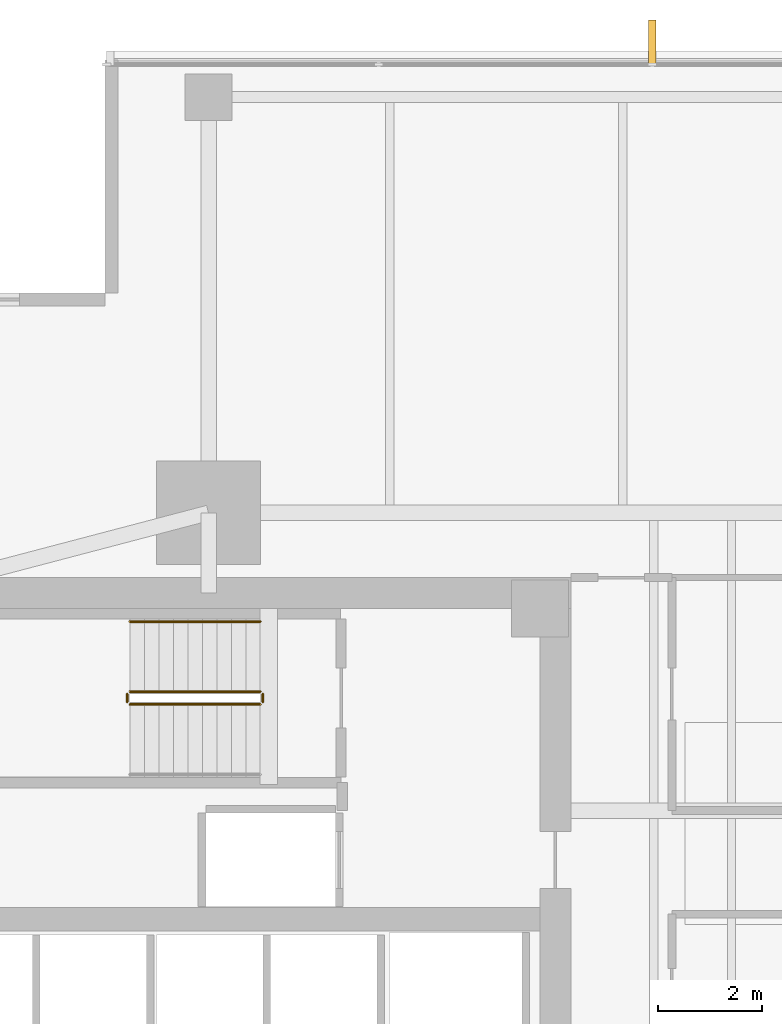
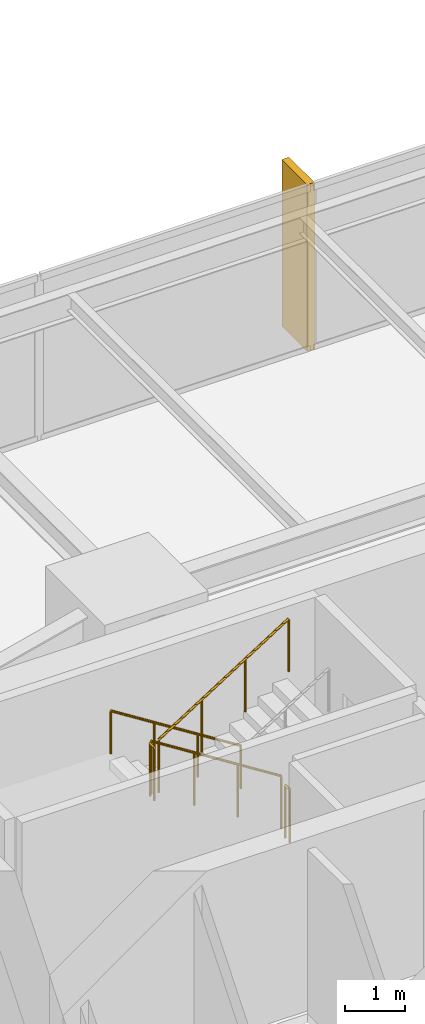
# One storey, part 13 of 14: 5 railings, 1 covering.
"""IFC4 building model written with IfcOpenShell, lengths in metres."""

import ifcopenshell
import ifcopenshell.guid

model = None  # the IFC model being written
_history = None  # IfcOwnerHistory: only IFC2X3 demands one
_inside = {}  # id of a spatial element -> (the spatial element, [elements in it])
_under = {}  # id of a project, library or spatial element -> (it, [spatial elements below it])
_declared = {}  # id of a project -> (the project, [libraries it declares])
_typed = {}  # id of a type object -> (the type object, [elements of that type])
_made_of = {}  # id of a material, layer set ... -> (it, [elements and type objects made of it])


def new_model(schema):
    """Start an empty IFC model of exactly this schema.

    Asked for "IFC4X3", IfcOpenShell would pick the latest addendum, in which some entities
    have other attributes; the version numbers below select the first issue.
    IFC2X3 requires an IfcOwnerHistory on every rooted entity: one is made here for all.
    """
    global model, _history
    if schema == "IFC4X3":
        model = ifcopenshell.file(schema_version=(4, 3, 0, 0))
    else:
        model = ifcopenshell.file(schema=schema)
    _inside.clear()
    _under.clear()
    _declared.clear()
    _typed.clear()
    _made_of.clear()
    _history = None
    if model.schema == "IFC2X3":
        org = make("IfcOrganization", Name="unknown")
        user = make(
            "IfcPersonAndOrganization",
            ThePerson=make("IfcPerson", FamilyName="unknown"),
            TheOrganization=org,
        )
        app = make(
            "IfcApplication",
            ApplicationDeveloper=org,
            Version="unknown",
            ApplicationFullName="unknown",
            ApplicationIdentifier="unknown",
        )
        _history = make(
            "IfcOwnerHistory",
            OwningUser=user,
            OwningApplication=app,
            ChangeAction="ADDED",
            CreationDate=0,
        )
    return model


def make(cls, **values):
    """One entity of the class cls with the attributes given. An attribute that is None is left unset."""
    return model.create_entity(
        cls, **{name: value for name, value in values.items() if value is not None}
    )


def rooted(cls, **values):
    """An entity with a GlobalId (a new one), such as an element, a storey or a relation."""
    return make(cls, GlobalId=ifcopenshell.guid.new(), OwnerHistory=_history, **values)


def si_unit(unit_type, name, prefix=None):
    """IfcSIUnit, for example si_unit("LENGTHUNIT", "METRE", prefix="MILLI")."""
    return make("IfcSIUnit", UnitType=unit_type, Prefix=prefix, Name=name)


def assignment(units):
    """IfcUnitAssignment: the units of a project."""
    return None if units is None else make("IfcUnitAssignment", Units=units)


def point(xyz):
    """IfcCartesianPoint."""
    return None if xyz is None else make("IfcCartesianPoint", Coordinates=xyz)


def direction(xyz):
    """IfcDirection."""
    return None if xyz is None else make("IfcDirection", DirectionRatios=xyz)


def frame(location, z_axis=None, x_axis=None):
    """IfcAxis2Placement3D, a coordinate frame: its origin and axes. An axis left out is left unset."""
    return make(
        "IfcAxis2Placement3D",
        Location=point(location),
        Axis=direction(z_axis),
        RefDirection=direction(x_axis),
    )


def frame_2d(location, x_axis=None):
    """IfcAxis2Placement2D, a coordinate frame in the plane: its origin and x axis."""
    return make(
        "IfcAxis2Placement2D", Location=point(location), RefDirection=direction(x_axis)
    )


def origin():
    """The frame at (0, 0, 0) with its axes left unset."""
    return frame((0.0, 0.0, 0.0))


def origin_2d():
    """The frame at (0, 0) in the plane with its x axis left unset."""
    return frame_2d((0.0, 0.0))


def place(relative_to, where):
    """IfcLocalPlacement: puts the frame where relative to a parent placement (None: the world)."""
    return make(
        "IfcLocalPlacement", PlacementRelTo=relative_to, RelativePlacement=where
    )


def context(
    kind, dimensions, precision=None, world=None, true_north=None, identifier=None
):
    """IfcGeometricRepresentationContext, for example the 3D "Model" context."""
    return make(
        "IfcGeometricRepresentationContext",
        ContextIdentifier=identifier,
        ContextType=kind,
        CoordinateSpaceDimension=dimensions,
        Precision=precision,
        WorldCoordinateSystem=world,
        TrueNorth=true_north,
    )


def subcontext(parent, identifier, kind, view, scale=None):
    """IfcGeometricRepresentationSubContext, for example "Body" below "Model"."""
    return make(
        "IfcGeometricRepresentationSubContext",
        ContextIdentifier=identifier,
        ContextType=kind,
        ParentContext=parent,
        TargetScale=scale,
        TargetView=view,
    )


def project(units=None, contexts=None):
    """IfcProject with its units and contexts."""
    return rooted(
        "IfcProject",
        Name="project",
        RepresentationContexts=contexts,
        UnitsInContext=assignment(units),
    )


def spatial(cls, under=None, at=None, **own):
    """A site, building, storey or space (cls), placed at a placement, below another one or the project."""
    s = rooted(cls, ObjectPlacement=at, **own)
    if under is not None:
        _under.setdefault(under.id(), (under, []))[1].append(s)
    return s


def polyline(points):
    """IfcPolyline through the points."""
    return make("IfcPolyline", Points=[point(p) for p in points])


def profile(cls, at=None, kind="AREA", **sizes):
    """A parametric profile (cls). Its sizes go by their IFC names, for example OverallWidth=200.0."""
    return make(cls, ProfileType=kind, Position=at, **sizes)


def circle(**sizes):
    """IfcCircleProfileDef."""
    return profile("IfcCircleProfileDef", **sizes)


def outline(outer, holes=None, kind="AREA"):
    """IfcArbitraryClosedProfileDef: a profile drawn as a closed curve; with holes, ...WithVoids."""
    if holes is None:
        return make("IfcArbitraryClosedProfileDef", ProfileType=kind, OuterCurve=outer)
    return make(
        "IfcArbitraryProfileDefWithVoids",
        ProfileType=kind,
        OuterCurve=outer,
        InnerCurves=holes,
    )


def extrude(swept, where, along, depth):
    """IfcExtrudedAreaSolid: the profile swept, set in the frame where, extruded along a direction by depth."""
    return make(
        "IfcExtrudedAreaSolid",
        SweptArea=swept,
        Position=where,
        ExtrudedDirection=direction(along),
        Depth=depth,
    )


def shape(context_of_items, identifier, shape_type, items):
    """IfcShapeRepresentation: the items that make up one representation, for example the "Body"."""
    return make(
        "IfcShapeRepresentation",
        ContextOfItems=context_of_items,
        RepresentationIdentifier=identifier,
        RepresentationType=shape_type,
        Items=items,
    )


def material(Name=None, Category=None):
    """IfcMaterial."""
    return make("IfcMaterial", Name=Name, Category=Category)


def layer(
    of_material, thickness, ventilated=None, Name=None, Category=None, Priority=None
):
    """IfcMaterialLayer: one layer of a wall or slab, of a material (None: an air gap)."""
    return make(
        "IfcMaterialLayer",
        Material=of_material,
        LayerThickness=thickness,
        IsVentilated=ventilated,
        Name=Name,
        Category=Category,
        Priority=Priority,
    )


def layer_set(layers, Name=None):
    """IfcMaterialLayerSet."""
    return make("IfcMaterialLayerSet", MaterialLayers=layers, LayerSetName=Name)


def made_of(thing, what):
    """Note that an element or type object is made of a material, layer set ...; save() writes the relation."""
    if what is not None:
        _made_of.setdefault(what.id(), (what, []))[1].append(thing)
    return thing


def type_object(cls, material=None, **own):
    """A type object (cls), such as IfcWallType, which elements share."""
    return made_of(rooted(cls, **own), material)


def element(
    cls,
    number,
    at=None,
    inside=None,
    cuts=None,
    type_object=None,
    material=None,
    context=None,
    identifier="Body",
    shape_type=None,
    held_by="IfcProductDefinitionShape",
    body=None,
    shapes=None,
    **own,
):
    """One element of the class cls, such as IfcWall. Its Tag is "e" and its number.

    at: its placement. inside: the storey or other place that contains it. cuts: it is an
    opening in that element (IfcRelVoidsElement). A single representation is given by context,
    identifier, shape_type and body (its items); several are given by shapes. held_by: the class
    of the entity that holds the representations. save() writes the other relations.
    """
    e = rooted(cls, Tag="e%d" % number, ObjectPlacement=at, **own)
    if body is not None:
        shapes = [shape(context, identifier, shape_type, body)]
    if shapes is not None:
        e.Representation = make(held_by, Representations=shapes)
    if inside is not None:
        _inside.setdefault(inside.id(), (inside, []))[1].append(e)
    if cuts is not None:
        rooted(
            "IfcRelVoidsElement", RelatingBuildingElement=cuts, RelatedOpeningElement=e
        )
    if type_object is not None:
        _typed.setdefault(type_object.id(), (type_object, []))[1].append(e)
    return made_of(e, material)


def aggregate(whole, parts):
    """IfcRelAggregates: a whole, such as a stair, and the parts it consists of."""
    return rooted("IfcRelAggregates", RelatingObject=whole, RelatedObjects=parts)


def save(model, path):
    """Write the relations noted so far, then the file.

    IfcRelAggregates (storeys below a building ...), IfcRelContainedInSpatialStructure (elements
    in a storey), IfcRelDefinesByType, IfcRelAssociatesMaterial and IfcRelDeclares: one each for
    every whole, place, type object, material and project.
    """
    for whole, parts in _under.values():
        aggregate(whole, parts)
    for where, things in _inside.values():
        rooted(
            "IfcRelContainedInSpatialStructure",
            RelatedElements=things,
            RelatingStructure=where,
        )
    for kind, things in _typed.values():
        rooted("IfcRelDefinesByType", RelatedObjects=things, RelatingType=kind)
    for what, things in _made_of.values():
        rooted("IfcRelAssociatesMaterial", RelatedObjects=things, RelatingMaterial=what)
    for by, libraries in _declared.values():
        rooted("IfcRelDeclares", RelatingContext=by, RelatedDefinitions=libraries)
    model.write(path)


model = new_model("IFC4")

# Units and contexts
model_context = context("Model", 3, precision=1e-05, world=origin(), true_north=direction((0.0, 1.0)))
body_context = subcontext(model_context, "Body", "Model", "MODEL_VIEW")
ifc_project = project(units=[si_unit("LENGTHUNIT", "METRE"), si_unit("AREAUNIT", "SQUARE_METRE"), si_unit("VOLUMEUNIT", "CUBIC_METRE"), si_unit("PLANEANGLEUNIT", "RADIAN"), si_unit("MASSUNIT", "GRAM", prefix="KILO")], contexts=[model_context])

# Site, building, storey
site_placement = place(None, origin())
site = spatial("IfcSite", under=ifc_project, at=site_placement, CompositionType="ELEMENT")
building_placement = place(site_placement, origin())
building = spatial("IfcBuilding", under=site, at=building_placement, Name="Kinhvarn Gate Tower", CompositionType="ELEMENT")
storey_placement = place(building_placement, frame((0.0, 0.0, 151.949951171875)))
storey = spatial("IfcBuildingStorey", under=building, at=storey_placement, Name="L40", CompositionType="ELEMENT", Elevation=151.949951171875)

# Covering
ifc_material_1 = material(Name="Fired architectural terracotta", Category="masonry")
ifc_layer = layer(ifc_material_1, 0.139892578125)
ifc_layer_set = layer_set([ifc_layer], Name="Fired architectural terracotta")
covering_type = type_object("IfcCoveringType", Name="COV-FIN-850", PredefinedType="CLADDING", material=ifc_layer_set)
covering_placement = place(storey_placement, frame((0.0, 0.0, -0.02001953125)))
element("IfcCovering", 1, at=covering_placement, inside=storey, type_object=covering_type, Name="Vertical Terracotta Expressive Fin TFN-850 (L40)", PredefinedType="CLADDING", context=body_context, shape_type="SweptSolid", body=[
    extrude(outline(polyline([(19.641357421875, 46.419921875), (19.50146484375, 46.419921875), (19.50146484375, 47.27001953125), (19.641357421875, 47.27001953125), (19.641357421875, 46.419921875)])), origin(), (0.0, 0.0, 1.0), 3.41015625),
])

# Railings
ifc_material_2 = material(Name="Steel S355", Category="steel")
railing_type_1 = type_object("IfcRailingType", Name="RL-ST-GRD", PredefinedType="BALUSTRADE", material=ifc_material_2)
railing_1_placement = place(storey_placement, frame((12.0, 34.300048828125, 0.177490234375)))
element("IfcRailing", 2, at=railing_1_placement, inside=storey, type_object=railing_type_1, Name="L40 ST2 stair guard 1", PredefinedType="BALUSTRADE", context=body_context, shape_type="SweptSolid", body=[
    extrude(circle(Radius=0.02392578125, at=origin_2d()), frame((0.0, 0.0, 1.076171875), z_axis=(-0.84456994832, 0.0, 0.535445237532), x_axis=(0.0, -1.0, 0.0)), (0.0, 0.0, 1.0), 2.98388671875),
    extrude(circle(Radius=0.02099609375, at=origin_2d()), origin(), (0.0, 0.0, 1.0), 1.052001953125),
    extrude(circle(Radius=0.02099609375, at=origin_2d()), frame((-0.840087890625, 0.0, 0.532470703125)), (0.0, 0.0, 1.0), 1.052001953125),
    extrude(circle(Radius=0.02099609375, at=origin_2d()), frame((-1.679931640625, 0.0, 1.065185546875)), (0.0, 0.0, 1.0), 1.052001953125),
    extrude(circle(Radius=0.02099609375, at=origin_2d()), frame((-2.52001953125, 0.0, 1.59765625)), (0.0, 0.0, 1.0), 1.052001953125),
])
railing_2_placement = place(storey_placement, frame((9.429931640625, 34.25, 1.775146484375)))
element("IfcRailing", 3, at=railing_2_placement, inside=storey, type_object=railing_type_1, Name="L40 ST2 stair guard 2", PredefinedType="BALUSTRADE", context=body_context, shape_type="SweptSolid", body=[
    extrude(circle(Radius=0.02392578125, at=origin_2d()), frame((0.0, 0.0, 1.076171875), z_axis=(0.0, -1.0, 0.0), x_axis=(1.0, 0.0, 0.0)), (0.0, 0.0, 1.0), 0.14990234375),
    extrude(circle(Radius=0.02099609375, at=origin_2d()), origin(), (0.0, 0.0, 1.0), 1.052001953125),
    extrude(circle(Radius=0.02099609375, at=origin_2d()), frame((0.0, -0.14990234375, 0.0)), (0.0, 0.0, 1.0), 1.052001953125),
])
railing_3_placement = place(storey_placement, frame((9.47998046875, 34.050048828125, 1.95263671875)))
element("IfcRailing", 4, at=railing_3_placement, inside=storey, type_object=railing_type_1, Name="L40 ST2 stair guard 3", PredefinedType="BALUSTRADE", context=body_context, shape_type="SweptSolid", body=[
    extrude(circle(Radius=0.02392578125, at=origin_2d()), frame((0.0, 0.0, 1.076171875), z_axis=(0.84460694969, 0.0, 0.535386869969), x_axis=(0.0, 1.0, 0.0)), (0.0, 0.0, 1.0), 2.983642578125),
    extrude(circle(Radius=0.02099609375, at=origin_2d()), origin(), (0.0, 0.0, 1.0), 1.052001953125),
    extrude(circle(Radius=0.02099609375, at=origin_2d()), frame((0.840087890625, 0.0, 0.532470703125)), (0.0, 0.0, 1.0), 1.052001953125),
    extrude(circle(Radius=0.02099609375, at=origin_2d()), frame((1.679931640625, 0.0, 1.06494140625)), (0.0, 0.0, 1.0), 1.052001953125),
    extrude(circle(Radius=0.02099609375, at=origin_2d()), frame((2.52001953125, 0.0, 1.597412109375)), (0.0, 0.0, 1.0), 1.052001953125),
])
railing_4_placement = place(storey_placement, frame((12.050048828125, 34.25, 0.0)))
element("IfcRailing", 5, at=railing_4_placement, inside=storey, type_object=railing_type_1, Name="L40 ST2 stair guard 4", PredefinedType="BALUSTRADE", context=body_context, shape_type="SweptSolid", body=[
    extrude(circle(Radius=0.02392578125, at=origin_2d()), frame((0.0, 0.0, 1.076171875), z_axis=(0.0, -1.0, 0.0), x_axis=(1.0, 0.0, 0.0)), (0.0, 0.0, 1.0), 0.14990234375),
    extrude(circle(Radius=0.02099609375, at=origin_2d()), origin(), (0.0, 0.0, 1.0), 1.052001953125),
    extrude(circle(Radius=0.02099609375, at=origin_2d()), frame((0.0, -0.14990234375, 0.0)), (0.0, 0.0, 1.0), 1.052001953125),
])
railing_type_2 = type_object("IfcRailingType", Name="RL-ST-HND", PredefinedType="HANDRAIL", material=ifc_material_2)
railing_5_placement = place(storey_placement, frame((12.0, 35.64990234375, 0.177490234375)))
element("IfcRailing", 6, at=railing_5_placement, inside=storey, type_object=railing_type_2, Name="L40 ST2 stair handrail 1", PredefinedType="HANDRAIL", context=body_context, shape_type="SweptSolid", body=[
    extrude(circle(Radius=0.02392578125, at=origin_2d()), frame((0.0, 0.0, 0.8759765625), z_axis=(-0.84456994832, 0.0, 0.535445237532), x_axis=(0.0, -1.0, 0.0)), (0.0, 0.0, 1.0), 2.98388671875),
    extrude(circle(Radius=0.02099609375, at=origin_2d()), origin(), (0.0, 0.0, 1.0), 0.851806640625),
    extrude(circle(Radius=0.02099609375, at=origin_2d()), frame((-0.840087890625, 0.0, 0.532470703125)), (0.0, 0.0, 1.0), 0.851806640625),
    extrude(circle(Radius=0.02099609375, at=origin_2d()), frame((-1.679931640625, 0.0, 1.065185546875)), (0.0, 0.0, 1.0), 0.851806640625),
    extrude(circle(Radius=0.02099609375, at=origin_2d()), frame((-2.52001953125, 0.0, 1.59765625)), (0.0, 0.0, 1.0), 0.851806640625),
])

save(model, "model.ifc")
